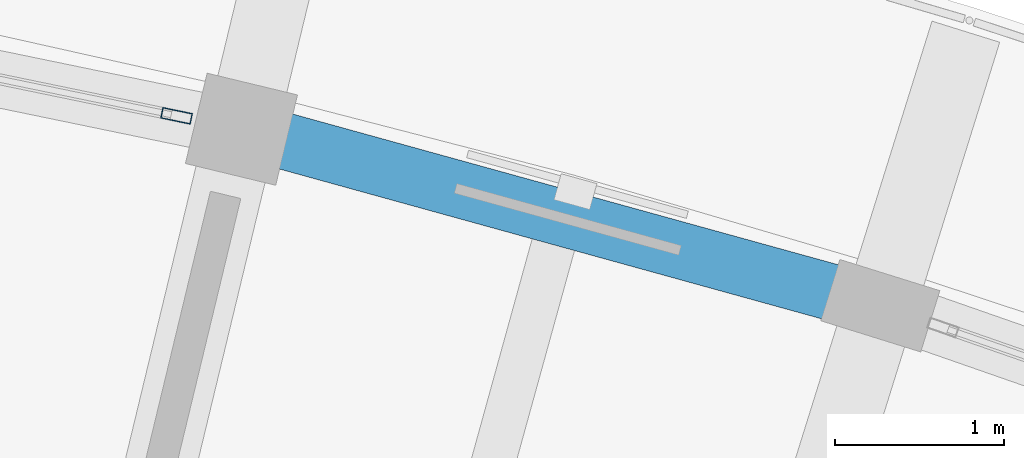
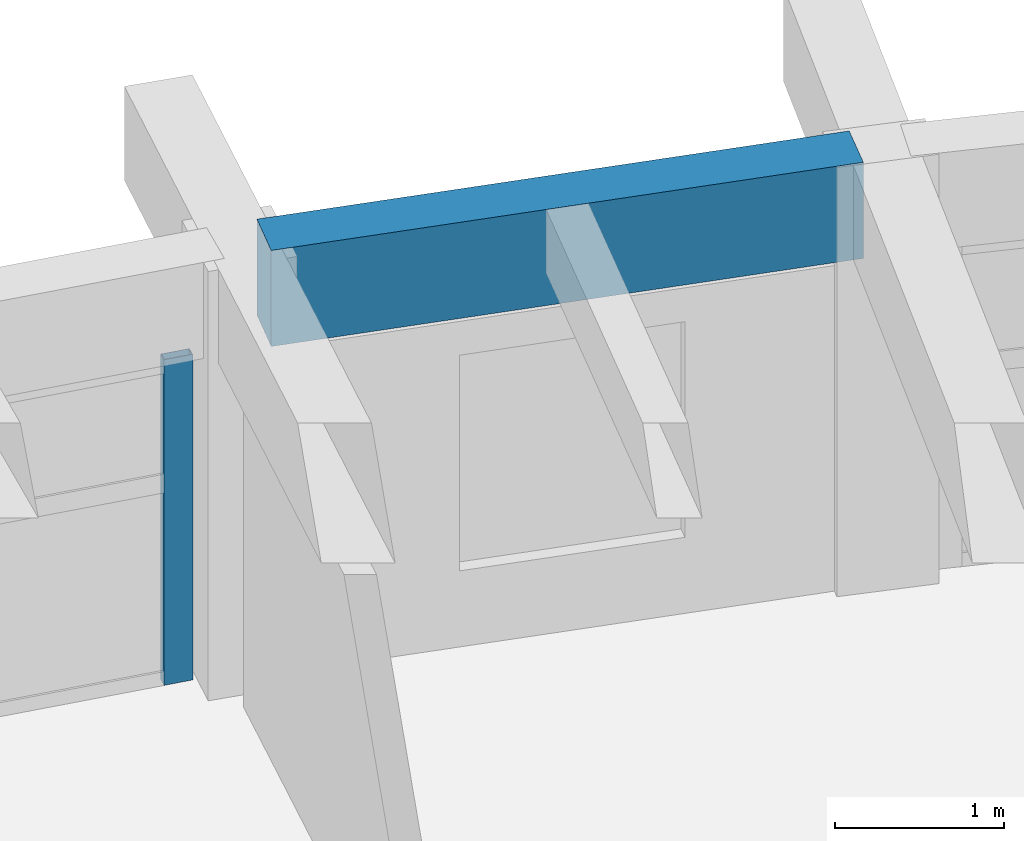
# One storey, part 42 of 96: 1 beam, 1 member, 1 element without a shape of its own.
"""IFC4 building model written with IfcOpenShell, lengths in metres."""

from ifc_helpers import new_model, si_unit, direction, frame, origin, origin_2d, place, context, subcontext, project, spatial, rectangle, hollow_rectangle, extrude, material, material_profile, profile_set, type_object, element, aggregate, save


model = new_model("IFC4")

# Units and contexts
model_context = context("Model", 3, precision=1e-05, world=origin(), true_north=direction((0.0, 1.0)))
body_context = subcontext(model_context, "Body", "Model", "MODEL_VIEW")
ifc_project = project(units=[si_unit("LENGTHUNIT", "METRE"), si_unit("AREAUNIT", "SQUARE_METRE"), si_unit("VOLUMEUNIT", "CUBIC_METRE"), si_unit("PLANEANGLEUNIT", "RADIAN"), si_unit("MASSUNIT", "GRAM", prefix="KILO")], contexts=[model_context])

# Site, building, storey
site_placement = place(None, origin())
site = spatial("IfcSite", under=ifc_project, at=site_placement, CompositionType="ELEMENT")
building_placement = place(site_placement, origin())
building = spatial("IfcBuilding", under=site, at=building_placement, Name="Tanwirah Colonnade Gardens", CompositionType="ELEMENT")
storey_placement = place(building_placement, frame((0.0, 0.0, 12.199951171875)))
storey = spatial("IfcBuildingStorey", under=building, at=storey_placement, Name="L03", CompositionType="ELEMENT", Elevation=12.199951171875)

# Curtain wall, member
ifc_material_1 = material(Name="Bronze-anodised aluminium and solar-control low-E glass", Category="aluminium")
curtain_wall_type = type_object("IfcCurtainWallType", Name="CW-LOB", PredefinedType="NOTDEFINED", material=ifc_material_1)
curtain_wall_placement = place(storey_placement, origin())
curtain_wall = element("IfcCurtainWall", 1, at=curtain_wall_placement, inside=storey, type_object=curtain_wall_type, Name="Curtain Wall CW-B-L03-OUT-16", PredefinedType="NOTDEFINED")
ifc_material_2 = material(Name="Bronze-anodised aluminium", Category="aluminium")
ifc_material_profile_1 = material_profile(ifc_material_2, hollow_rectangle(XDim=0.06494140625, YDim=0.179931640625, WallThickness=0.00390625, at=origin_2d()), Name="CW-MUL 65x180x4")
ifc_profile_set_1 = profile_set([ifc_material_profile_1], Name="Bronze-anodised aluminium")
member_type = type_object("IfcMemberType", Name="CWM-65x180", PredefinedType="MULLION", material=ifc_profile_set_1)
member_placement = place(storey_placement, frame((134.573486328125, 118.17041015625, 0.0), z_axis=(0.0, 0.0, 1.0), x_axis=(-0.202218047772, -0.979340523595, 0.0)))
member = element("IfcMember", 2, at=member_placement, type_object=member_type, Name="CW-LOB mullion 1", PredefinedType="MULLION", context=body_context, shape_type="SweptSolid", body=[
    extrude(hollow_rectangle(XDim=0.06494140625, YDim=0.179931640625, WallThickness=0.00390625, at=origin_2d()), origin(), (0.0, 0.0, 1.0), 2.35498046875),
])
aggregate(curtain_wall, [member])

# Beam
ifc_material_3 = material(Name="Precast concrete C40/50", Category="concrete")
ifc_material_profile_2 = material_profile(ifc_material_3, rectangle(XDim=0.3349609375, YDim=0.695068359375, at=origin_2d()), Name="PC-SP 335x695")
ifc_profile_set_2 = profile_set([ifc_material_profile_2], Name="Precast concrete C40/50")
beam_type = type_object("IfcBeamType", Name="SP-PC300", PredefinedType="SPANDREL", material=ifc_profile_set_2)
beam_placement = place(storey_placement, frame((138.59716796875, 117.085693359375, 2.757568359375), z_axis=(-0.963888380927, 0.266306569792, 0.0), x_axis=(-0.266306569792, -0.963888380927, 0.0)))
element("IfcBeam", 3, at=beam_placement, inside=storey, type_object=beam_type, Name="Block B L03 Circumferential Beam 15-R3", PredefinedType="SPANDREL", context=body_context, shape_type="SweptSolid", body=[
    extrude(rectangle(XDim=0.3349609375, YDim=0.695068359375, at=origin_2d()), origin(), (0.0, 0.0, 1.0), 3.625732421875),
])

save(model, "model.ifc")
